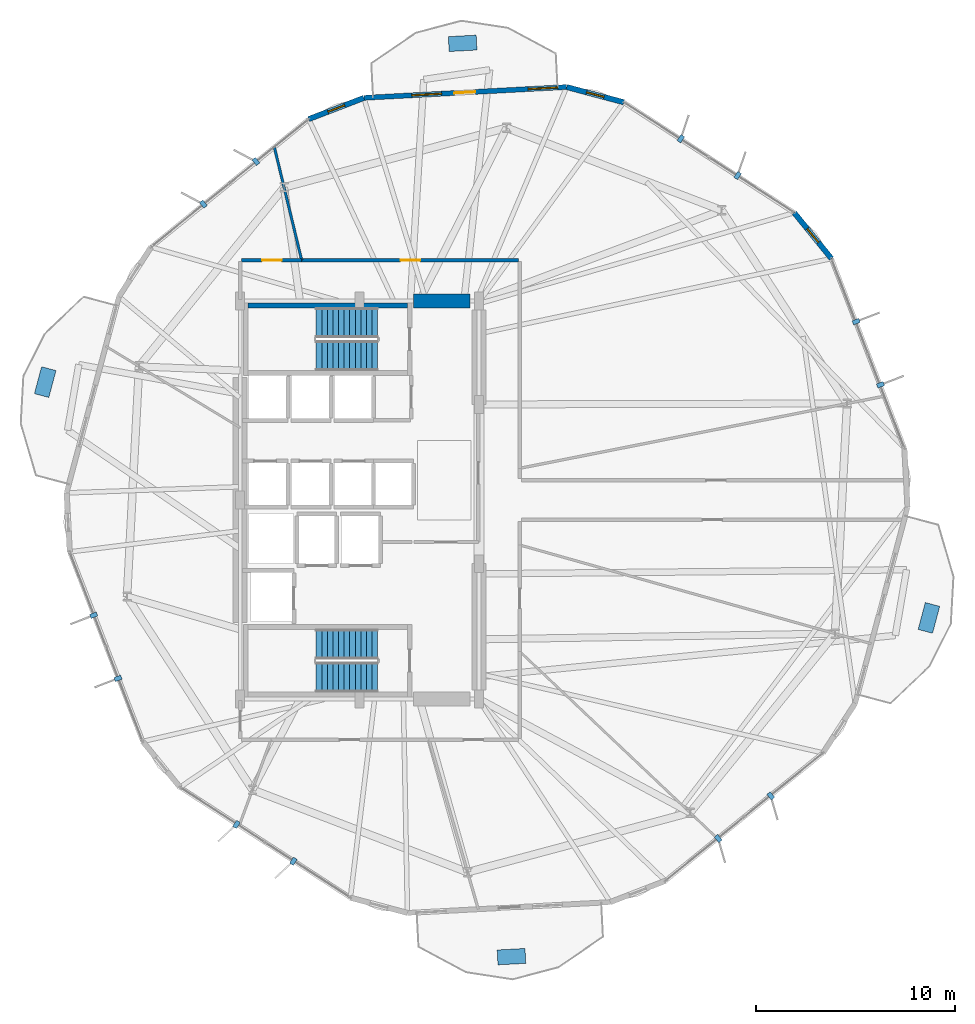
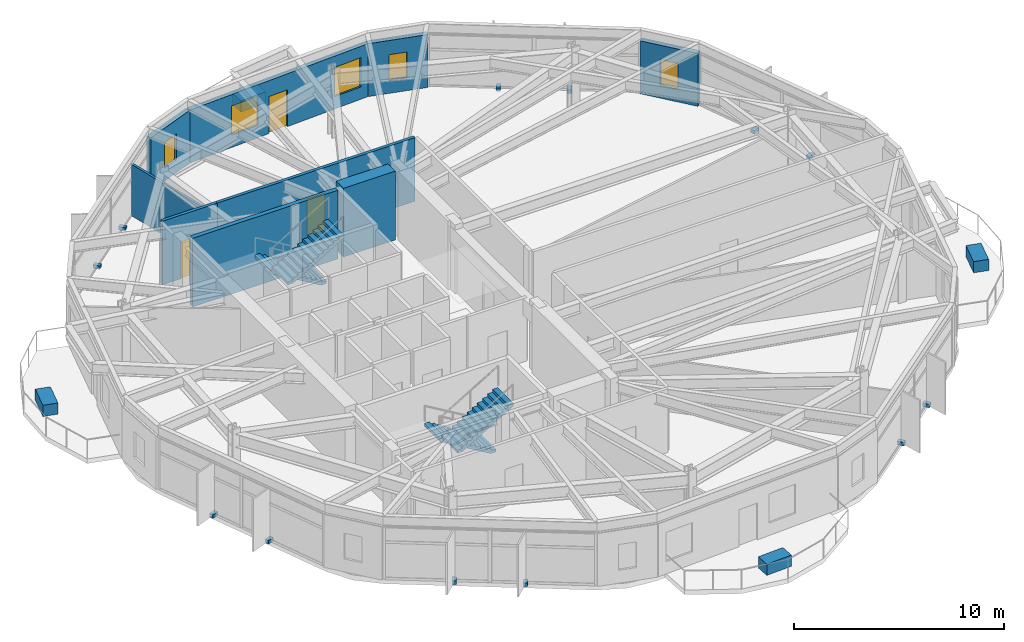
# One storey, part 20 of 23: 16 discrete accessories, 9 walls, 5 windows, 4 stair flights, 3 doors, 8 openings, 2 elements without a shape of their own.
"""IFC4 building model written with IfcOpenShell, lengths in metres."""

from ifc_helpers import new_model, si_unit, direction, frame, frame_2d, origin, origin_2d, place, context, subcontext, project, spatial, polyline, rectangle, outline, extrude, material, layer, layer_set, type_object, element, fill, aggregate, save


model = new_model("IFC4")

# Units and contexts
model_context = context("Model", 3, precision=1e-05, world=origin(), true_north=direction((0.0, 1.0)))
body_context = subcontext(model_context, "Body", "Model", "MODEL_VIEW")
ifc_project = project(units=[si_unit("LENGTHUNIT", "METRE"), si_unit("AREAUNIT", "SQUARE_METRE"), si_unit("VOLUMEUNIT", "CUBIC_METRE"), si_unit("PLANEANGLEUNIT", "RADIAN"), si_unit("MASSUNIT", "GRAM", prefix="KILO")], contexts=[model_context])

# Site, building, storey
site_placement = place(None, origin())
site = spatial("IfcSite", under=ifc_project, at=site_placement, CompositionType="ELEMENT")
building_placement = place(site_placement, origin())
building = spatial("IfcBuilding", under=site, at=building_placement, Name="Soratama Intermodal Tower", CompositionType="ELEMENT")
storey_placement = place(building_placement, frame((0.0, 0.0, 38.60009765625)))
storey = spatial("IfcBuildingStorey", under=building, at=storey_placement, Name="L08", CompositionType="ELEMENT", Elevation=38.60009765625)

# Wall, openings, door, windows
ifc_material_1 = material(Name="Concrete f'c 42 MPa", Category="concrete")
ifc_layer_1 = layer(ifc_material_1, 0.25)
ifc_layer_set_1 = layer_set([ifc_layer_1], Name="Concrete f'c 42 MPa")
wall_type_1 = type_object("IfcWallType", Name="EW-BAL-250", PredefinedType="SOLIDWALL", material=ifc_layer_set_1)
wall_1_placement = place(storey_placement, frame((48.9990234375, 45.7412109375, 0.0), z_axis=(0.0, 0.0, 1.0), x_axis=(-0.998573514947, -0.053394149934, 0.0)))
wall_1 = element("IfcWall", 1, at=wall_1_placement, inside=storey, type_object=wall_type_1, Name="L08 Terrace Wall F03", PredefinedType="SOLIDWALL", context=body_context, shape_type="SweptSolid", body=[
    extrude(rectangle(XDim=10.201171875, YDim=0.25, at=frame_2d((5.1005859375, 0.0))), origin(), (0.0, 0.0, 1.0), 3.078857421875),
])
opening_1_placement = place(wall_1_placement, frame((4.6005859375, 0.0, 0.0)))
opening_1 = element("IfcOpeningElement", 2, at=opening_1_placement, cuts=wall_1, Name="Opening ED-5", PredefinedType="OPENING", context=body_context, shape_type="SweptSolid", body=[
    extrude(rectangle(XDim=1.050048828125, YDim=2.14990234375, at=frame_2d((0.52490234375, 1.074951171875))), frame((0.0, 0.135009765625, 0.0), z_axis=(0.0, -1.0, 0.0), x_axis=(1.0, 0.0, 0.0)), (0.0, 0.0, 1.0), 0.27001953125),
])
opening_2_placement = place(wall_1_placement, frame((0.43994140625, 0.0, 0.719970703125)))
opening_2 = element("IfcOpeningElement", 3, at=opening_2_placement, cuts=wall_1, Name="Opening WN-1", PredefinedType="OPENING", context=body_context, shape_type="SweptSolid", body=[
    extrude(rectangle(XDim=1.5, YDim=1.699951171875, at=frame_2d((0.75, 0.85009765625))), frame((0.0, 0.135009765625, 0.0), z_axis=(0.0, -1.0, 0.0), x_axis=(1.0, 0.0, 0.0)), (0.0, 0.0, 1.0), 0.27001953125),
])
opening_3_placement = place(wall_1_placement, frame((6.29052734375, 0.0, 0.719970703125)))
opening_3 = element("IfcOpeningElement", 4, at=opening_3_placement, cuts=wall_1, Name="Opening WN-1", PredefinedType="OPENING", context=body_context, shape_type="SweptSolid", body=[
    extrude(rectangle(XDim=1.5, YDim=1.699951171875, at=frame_2d((0.75, 0.85009765625))), frame((0.0, 0.135009765625, 0.0), z_axis=(0.0, -1.0, 0.0), x_axis=(1.0, 0.0, 0.0)), (0.0, 0.0, 1.0), 0.27001953125),
])
ifc_material_2 = material(Name="Double-glazed aluminium door", Category="aluminium")
door_type_1 = type_object("IfcDoorType", Name="DR-BAL-1050", OperationType="NOTDEFINED", PredefinedType="DOOR", material=ifc_material_2)
door_1_placement = place(opening_1_placement, origin())
door_1 = element("IfcDoor", 5, at=door_1_placement, inside=storey, type_object=door_type_1, Name="L08 Balcony Door F03", OperationType="SINGLE_SWING_LEFT", OverallHeight=2.14990234375, OverallWidth=1.050048828125, PredefinedType="DOOR", context=body_context, shape_type="SweptSolid", body=[
    extrude(rectangle(XDim=1.050048828125, YDim=2.14990234375, at=frame_2d((0.52490234375, 1.074951171875))), frame((0.0, 0.02490234375, 0.0), z_axis=(0.0, -1.0, 0.0), x_axis=(1.0, 0.0, 0.0)), (0.0, 0.0, 1.0), 0.050048828125),
])
fill(opening_1, door_1)
ifc_material_3 = material(Name="Double-glazed aluminium window", Category="aluminium")
window_type_1 = type_object("IfcWindowType", Name="WN-FAC-1500", PartitioningType="SINGLE_PANEL", PredefinedType="WINDOW", material=ifc_material_3)
window_1_placement = place(opening_2_placement, origin())
window_1 = element("IfcWindow", 6, at=window_1_placement, inside=storey, type_object=window_type_1, Name="L08 Window A F03", OverallHeight=1.699951171875, OverallWidth=1.5, PartitioningType="SINGLE_PANEL", PredefinedType="WINDOW", context=body_context, shape_type="SweptSolid", body=[
    extrude(rectangle(XDim=1.5, YDim=1.699951171875, at=frame_2d((0.75, 0.85009765625))), frame((0.0, 0.030029296875, 0.0), z_axis=(0.0, -1.0, 0.0), x_axis=(1.0, 0.0, 0.0)), (0.0, 0.0, 1.0), 0.06005859375),
])
fill(opening_2, window_1)
window_2_placement = place(opening_3_placement, origin())
window_2 = element("IfcWindow", 7, at=window_2_placement, inside=storey, type_object=window_type_1, Name="L08 Window B F03", OverallHeight=1.699951171875, OverallWidth=1.5, PartitioningType="SINGLE_PANEL", PredefinedType="WINDOW", context=body_context, shape_type="SweptSolid", body=[
    extrude(rectangle(XDim=1.5, YDim=1.699951171875, at=frame_2d((0.75, 0.85009765625))), frame((0.0, 0.030029296875, 0.0), z_axis=(0.0, -1.0, 0.0), x_axis=(1.0, 0.0, 0.0)), (0.0, 0.0, 1.0), 0.06005859375),
])
fill(opening_3, window_2)

# Wall, opening, window
ifc_material_4 = material(Name="Concrete f'c 42 MPa", Category="concrete")
ifc_layer_2 = layer(ifc_material_4, 0.27001953125)
ifc_layer_set_2 = layer_set([ifc_layer_2], Name="Concrete f'c 42 MPa")
wall_type_2 = type_object("IfcWallType", Name="EW-CRN-270", PredefinedType="SOLIDWALL", material=ifc_layer_set_2)
wall_2_placement = place(storey_placement, frame((62.2958984375, 37.125732421875, 0.0), z_axis=(0.0, 0.0, 1.0), x_axis=(-0.630149473082, 0.776473851185, 0.0)))
wall_2 = element("IfcWall", 8, at=wall_2_placement, inside=storey, type_object=wall_type_2, Name="L08 Corner Closure Wall 01", PredefinedType="SOLIDWALL", context=body_context, shape_type="SweptSolid", body=[
    extrude(rectangle(XDim=2.966552734375, YDim=0.27001953125, at=frame_2d((1.4833984375, 0.0))), origin(), (0.0, 0.0, 1.0), 3.078857421875),
])
opening_4_placement = place(wall_2_placement, frame((1.033203125, 0.0, 0.75)))
opening_4 = element("IfcOpeningElement", 9, at=opening_4_placement, cuts=wall_2, Name="Opening WN-6", PredefinedType="OPENING", context=body_context, shape_type="SweptSolid", body=[
    extrude(rectangle(XDim=0.89990234375, YDim=1.5, at=frame_2d((0.449951171875, 0.75))), frame((0.0, 0.14501953125, 0.0), z_axis=(0.0, -1.0, 0.0), x_axis=(1.0, 0.0, 0.0)), (0.0, 0.0, 1.0), 0.2900390625),
])
ifc_material_5 = material(Name="Double-glazed aluminium window", Category="aluminium")
window_type_2 = type_object("IfcWindowType", Name="WN-FAC-900", PartitioningType="SINGLE_PANEL", PredefinedType="WINDOW", material=ifc_material_5)
window_3_placement = place(opening_4_placement, origin())
window_3 = element("IfcWindow", 10, at=window_3_placement, inside=storey, type_object=window_type_2, Name="L08 Corner Window 01", OverallHeight=1.5, OverallWidth=0.89990234375, PartitioningType="SINGLE_PANEL", PredefinedType="WINDOW", context=body_context, shape_type="SweptSolid", body=[
    extrude(rectangle(XDim=0.89990234375, YDim=1.5, at=frame_2d((0.449951171875, 0.75))), frame((0.0, 0.030029296875, 0.0), z_axis=(0.0, -1.0, 0.0), x_axis=(1.0, 0.0, 0.0)), (0.0, 0.0, 1.0), 0.06005859375),
])
fill(opening_4, window_3)

wall_3_placement = place(storey_placement, frame((51.865478515625, 44.976318359375, 0.0), z_axis=(0.0, 0.0, 1.0), x_axis=(-0.966192585346, 0.257821426615, 0.0)))
wall_3 = element("IfcWall", 11, at=wall_3_placement, inside=storey, type_object=wall_type_2, Name="L08 Corner Closure Wall 02", PredefinedType="SOLIDWALL", context=body_context, shape_type="SweptSolid", body=[
    extrude(rectangle(XDim=2.966796875, YDim=0.27001953125, at=frame_2d((1.4833984375, 0.0))), origin(), (0.0, 0.0, 1.0), 3.078857421875),
])
opening_5_placement = place(wall_3_placement, frame((1.033203125, 0.0, 0.75)))
opening_5 = element("IfcOpeningElement", 12, at=opening_5_placement, cuts=wall_3, Name="Opening WN-6", PredefinedType="OPENING", context=body_context, shape_type="SweptSolid", body=[
    extrude(rectangle(XDim=0.89990234375, YDim=1.5, at=frame_2d((0.449951171875, 0.75))), frame((0.0, 0.14501953125, 0.0), z_axis=(0.0, -1.0, 0.0), x_axis=(1.0, 0.0, 0.0)), (0.0, 0.0, 1.0), 0.2900390625),
])
window_4_placement = place(opening_5_placement, origin())
window_4 = element("IfcWindow", 13, at=window_4_placement, inside=storey, type_object=window_type_2, Name="L08 Corner Window 02", OverallHeight=1.5, OverallWidth=0.89990234375, PartitioningType="SINGLE_PANEL", PredefinedType="WINDOW", context=body_context, shape_type="SweptSolid", body=[
    extrude(rectangle(XDim=0.89990234375, YDim=1.5, at=frame_2d((0.449951171875, 0.75))), frame((0.0, 0.030029296875, 0.0), z_axis=(0.0, -1.0, 0.0), x_axis=(1.0, 0.0, 0.0)), (0.0, 0.0, 1.0), 0.06005859375),
])
fill(opening_5, window_4)

wall_4_placement = place(storey_placement, frame((38.8125, 45.196533203125, 0.0), z_axis=(0.0, 0.0, 1.0), x_axis=(-0.933222533465, -0.35929890486, 0.0)))
wall_4 = element("IfcWall", 14, at=wall_4_placement, inside=storey, type_object=wall_type_2, Name="L08 Corner Closure Wall 03", PredefinedType="SOLIDWALL", context=body_context, shape_type="SweptSolid", body=[
    extrude(rectangle(XDim=2.966552734375, YDim=0.27001953125, at=frame_2d((1.4833984375, 0.0))), origin(), (0.0, 0.0, 1.0), 3.078857421875),
])
opening_6_placement = place(wall_4_placement, frame((1.033203125, 0.0, 0.75)))
opening_6 = element("IfcOpeningElement", 15, at=opening_6_placement, cuts=wall_4, Name="Opening WN-6", PredefinedType="OPENING", context=body_context, shape_type="SweptSolid", body=[
    extrude(rectangle(XDim=0.89990234375, YDim=1.5, at=frame_2d((0.449951171875, 0.75))), frame((0.0, 0.14501953125, 0.0), z_axis=(0.0, -1.0, 0.0), x_axis=(1.0, 0.0, 0.0)), (0.0, 0.0, 1.0), 0.2900390625),
])
window_5_placement = place(opening_6_placement, origin())
window_5 = element("IfcWindow", 16, at=window_5_placement, inside=storey, type_object=window_type_2, Name="L08 Corner Window 03", OverallHeight=1.5, OverallWidth=0.89990234375, PartitioningType="SINGLE_PANEL", PredefinedType="WINDOW", context=body_context, shape_type="SweptSolid", body=[
    extrude(rectangle(XDim=0.89990234375, YDim=1.5, at=frame_2d((0.449951171875, 0.75))), frame((0.0, 0.030029296875, 0.0), z_axis=(0.0, -1.0, 0.0), x_axis=(1.0, 0.0, 0.0)), (0.0, 0.0, 1.0), 0.06005859375),
])
fill(opening_6, window_5)

# Wall, opening, door
ifc_material_6 = material(Name="Fire-rated gypsum stud partition", Category="concrete")
ifc_layer_3 = layer(ifc_material_6, 0.169921875)
ifc_layer_set_3 = layer_set([ifc_layer_3], Name="Fire-rated gypsum stud partition")
wall_type_3 = type_object("IfcWallType", Name="IW-PART-R170", PredefinedType="PARTITIONING", material=ifc_layer_set_3)
wall_5_placement = place(storey_placement, frame((35.68701171875, 37.050048828125, 0.0), z_axis=(0.0, 0.0, 1.0), x_axis=(1.0, 0.0, 0.0)))
wall_5 = element("IfcWall", 17, at=wall_5_placement, inside=storey, type_object=wall_type_3, Name="L08 Partition W-L08-TP006", PredefinedType="PARTITIONING", context=body_context, shape_type="SweptSolid", body=[
    extrude(rectangle(XDim=10.89306640625, YDim=0.169921875, at=frame_2d((5.446533203125, 0.0))), origin(), (0.0, 0.0, 1.0), 3.699951171875),
])
opening_7_placement = place(wall_5_placement, frame((4.971923828125, 0.0, 0.0)))
opening_7 = element("IfcOpeningElement", 18, at=opening_7_placement, cuts=wall_5, Name="Opening ID-5", PredefinedType="OPENING", context=body_context, shape_type="SweptSolid", body=[
    extrude(rectangle(XDim=0.97998046875, YDim=2.14990234375, at=frame_2d((0.489990234375, 1.074951171875))), frame((0.0, 0.094970703125, 0.0), z_axis=(0.0, -1.0, 0.0), x_axis=(1.0, 0.0, 0.0)), (0.0, 0.0, 1.0), 0.18994140625),
])
ifc_material_7 = material(Name="Solid hardwood acoustic door", Category="wood")
door_type_2 = type_object("IfcDoorType", Name="DR-OFF-980", OperationType="NOTDEFINED", PredefinedType="DOOR", material=ifc_material_7)
door_2_placement = place(opening_7_placement, origin())
door_2 = element("IfcDoor", 19, at=door_2_placement, inside=storey, type_object=door_type_2, Name="L08 Door D-L08-TP003", OperationType="SINGLE_SWING_RIGHT", OverallHeight=2.14990234375, OverallWidth=0.97998046875, PredefinedType="DOOR", context=body_context, shape_type="SweptSolid", body=[
    extrude(rectangle(XDim=0.97998046875, YDim=2.14990234375, at=frame_2d((0.489990234375, 1.074951171875))), frame((0.0, 0.02490234375, 0.0), z_axis=(0.0, -1.0, 0.0), x_axis=(1.0, 0.0, 0.0)), (0.0, 0.0, 1.0), 0.050048828125),
])
fill(opening_7, door_2)

wall_6_placement = place(storey_placement, frame((32.669921875, 37.050048828125, 0.0), z_axis=(0.0, 0.0, 1.0), x_axis=(1.0, 0.0, 0.0)))
wall_6 = element("IfcWall", 20, at=wall_6_placement, inside=storey, type_object=wall_type_3, Name="L08 Partition W-L08-TP018", PredefinedType="PARTITIONING", context=body_context, shape_type="SweptSolid", body=[
    extrude(rectangle(XDim=3.01708984375, YDim=0.169921875, at=frame_2d((1.508544921875, 0.0))), origin(), (0.0, 0.0, 1.0), 3.699951171875),
])
opening_8_placement = place(wall_6_placement, frame((1.032958984375, 0.0, 0.0)))
opening_8 = element("IfcOpeningElement", 21, at=opening_8_placement, cuts=wall_6, Name="Opening ID-5", PredefinedType="OPENING", context=body_context, shape_type="SweptSolid", body=[
    extrude(rectangle(XDim=0.97998046875, YDim=2.14990234375, at=frame_2d((0.489990234375, 1.074951171875))), frame((0.0, 0.094970703125, 0.0), z_axis=(0.0, -1.0, 0.0), x_axis=(1.0, 0.0, 0.0)), (0.0, 0.0, 1.0), 0.18994140625),
])
door_3_placement = place(opening_8_placement, origin())
door_3 = element("IfcDoor", 22, at=door_3_placement, inside=storey, type_object=door_type_2, Name="L08 Door D-L08-TP009", OperationType="SINGLE_SWING_RIGHT", OverallHeight=2.14990234375, OverallWidth=0.97998046875, PredefinedType="DOOR", context=body_context, shape_type="SweptSolid", body=[
    extrude(rectangle(XDim=0.97998046875, YDim=2.14990234375, at=frame_2d((0.489990234375, 1.074951171875))), frame((0.0, 0.02490234375, 0.0), z_axis=(0.0, -1.0, 0.0), x_axis=(1.0, 0.0, 0.0)), (0.0, 0.0, 1.0), 0.050048828125),
])
fill(opening_8, door_3)

# Walls
ifc_material_8 = material(Name="Fire-rated gypsum stud partition", Category="concrete")
ifc_layer_4 = layer(ifc_material_8, 0.1298828125)
ifc_layer_set_4 = layer_set([ifc_layer_4], Name="Fire-rated gypsum stud partition")
wall_type_4 = type_object("IfcWallType", Name="IW-PART-S130", PredefinedType="PARTITIONING", material=ifc_layer_set_4)
wall_7_placement = place(storey_placement, frame((35.68701171875, 37.050048828125, 0.0), z_axis=(0.0, 0.0, 1.0), x_axis=(-0.234925196883, 0.972013452515, 0.0)))
element("IfcWall", 23, at=wall_7_placement, inside=storey, type_object=wall_type_4, Name="L08 Partition W-L08-TP012", PredefinedType="PARTITIONING", context=body_context, shape_type="SweptSolid", body=[
    extrude(rectangle(XDim=5.840576171875, YDim=0.1298828125, at=frame_2d((2.92041015625, 0.0))), origin(), (0.0, 0.0, 1.0), 2.994873046875),
])
ifc_material_9 = material(Name="Concrete f'c 56 MPa", Category="concrete")
ifc_layer_5 = layer(ifc_material_9, 0.699951171875)
ifc_layer_set_5 = layer_set([ifc_layer_5], Name="Concrete f'c 56 MPa")
wall_type_5 = type_object("IfcWallType", Name="SW-CORE-700", PredefinedType="SHEAR", material=ifc_layer_set_5)
wall_8_placement = place(storey_placement, frame((41.300048828125, 35.0, 0.0), z_axis=(0.0, 0.0, 1.0), x_axis=(1.0, 0.0, 0.0)))
element("IfcWall", 24, at=wall_8_placement, inside=storey, type_object=wall_type_5, Name="L08 Core Shear Wall CW-NE", PredefinedType="SHEAR", context=body_context, shape_type="SweptSolid", body=[
    extrude(rectangle(XDim=2.849853515625, YDim=0.699951171875, at=frame_2d((1.4248046875, 0.0))), origin(), (0.0, 0.0, 1.0), 4.0),
])
ifc_material_10 = material(Name="Concrete f'c 56 MPa", Category="concrete")
ifc_layer_6 = layer(ifc_material_10, 0.239990234375)
ifc_layer_set_6 = layer_set([ifc_layer_6], Name="Concrete f'c 56 MPa")
wall_type_6 = type_object("IfcWallType", Name="SW-STAIR-240", PredefinedType="SHEAR", material=ifc_layer_set_6)
wall_9_placement = place(storey_placement, frame((33.0, 34.77001953125, 0.0), z_axis=(0.0, 0.0, 1.0), x_axis=(1.0, 0.0, 0.0)))
element("IfcWall", 25, at=wall_9_placement, inside=storey, type_object=wall_type_6, Name="L08 ST-2 Shaft Shear Wall N", PredefinedType="SHEAR", context=body_context, shape_type="SweptSolid", body=[
    extrude(rectangle(XDim=8.0, YDim=0.239990234375, at=frame_2d((4.0, 0.0))), origin(), (0.0, 0.0, 1.0), 4.0),
])

# Stair, stair flights
ifc_material_11 = material(Name="Concrete f'c 42 MPa", Category="concrete")
stair_type = type_object("IfcStairType", Name="ST-CORE-DOGLEG", PredefinedType="HALF_TURN_STAIR", material=ifc_material_11)
stair_1_placement = place(storey_placement, origin())
stair_1 = element("IfcStair", 26, at=stair_1_placement, inside=storey, type_object=stair_type, Name="L08 ST-1", PredefinedType="HALF_TURN_STAIR")
ifc_material_12 = material(Name="Precast concrete f'c 40 MPa", Category="concrete")
ifc_layer_7 = layer(ifc_material_12, 0.199951171875)
ifc_layer_set_7 = layer_set([ifc_layer_7], Name="Precast concrete f'c 40 MPa")
stair_flight_type = type_object("IfcStairFlightType", Name="SF-FLIGHT-RC", PredefinedType="STRAIGHT", material=ifc_layer_set_7)
stair_flight_1_placement = place(storey_placement, frame((39.5, 17.75, 0.0), z_axis=(0.0, 0.0, 1.0), x_axis=(-1.0, 0.0, 0.0)))
stair_flight_1 = element("IfcStairFlight", 27, at=stair_flight_1_placement, type_object=stair_flight_type, Name="ST-1 flight 1", NumberOfRisers=12, NumberOfTreads=11, PredefinedType="STRAIGHT", RiserHeight=0.166666667, TreadLength=0.28, context=body_context, shape_type="SweptSolid", body=[
    extrude(outline(polyline([(0.0, 0.0), (0.0, 0.166748046875), (0.280029296875, 0.166748046875), (0.280029296875, 0.333251953125), (0.56005859375, 0.333251953125), (0.56005859375, 0.5), (0.840087890625, 0.5), (0.840087890625, 0.666748046875), (1.1201171875, 0.666748046875), (1.1201171875, 0.833251953125), (1.39990234375, 0.833251953125), (1.39990234375, 1.0), (1.679931640625, 1.0), (1.679931640625, 1.166748046875), (1.9599609375, 1.166748046875), (1.9599609375, 1.333251953125), (2.239990234375, 1.333251953125), (2.239990234375, 1.5), (2.52001953125, 1.5), (2.52001953125, 1.666748046875), (2.800048828125, 1.666748046875), (2.800048828125, 1.833251953125), (3.080078125, 1.833251953125), (3.080078125, 2.0), (3.080078125, 1.658935546875), (0.29296875, 0.0), (0.0, 0.0)])), frame((0.0, 0.75, 0.0), z_axis=(0.0, -1.0, 0.0), x_axis=(1.0, 0.0, 0.0)), (0.0, 0.0, 1.0), 1.5),
])
stair_flight_2_placement = place(storey_placement, frame((36.419921875, 16.10009765625, 2.0), z_axis=(0.0, 0.0, 1.0), x_axis=(1.0, 0.0, 0.0)))
stair_flight_2 = element("IfcStairFlight", 28, at=stair_flight_2_placement, type_object=stair_flight_type, Name="ST-1 flight 2", NumberOfRisers=12, NumberOfTreads=11, PredefinedType="STRAIGHT", RiserHeight=0.166666667, TreadLength=0.28, context=body_context, shape_type="SweptSolid", body=[
    extrude(outline(polyline([(0.0, 0.0), (0.0, 0.166748046875), (0.280029296875, 0.166748046875), (0.280029296875, 0.333251953125), (0.56005859375, 0.333251953125), (0.56005859375, 0.5), (0.840087890625, 0.5), (0.840087890625, 0.666748046875), (1.1201171875, 0.666748046875), (1.1201171875, 0.833251953125), (1.39990234375, 0.833251953125), (1.39990234375, 1.0), (1.679931640625, 1.0), (1.679931640625, 1.166748046875), (1.9599609375, 1.166748046875), (1.9599609375, 1.333251953125), (2.239990234375, 1.333251953125), (2.239990234375, 1.5), (2.52001953125, 1.5), (2.52001953125, 1.666748046875), (2.800048828125, 1.666748046875), (2.800048828125, 1.833251953125), (3.080078125, 1.833251953125), (3.080078125, 2.0), (3.080078125, 1.658935546875), (0.29296875, 0.0), (0.0, 0.0)])), frame((0.0, 0.75, 0.0), z_axis=(0.0, -1.0, 0.0), x_axis=(1.0, 0.0, 0.0)), (0.0, 0.0, 1.0), 1.5),
])
aggregate(stair_1, [stair_flight_1, stair_flight_2])

stair_2_placement = place(storey_placement, origin())
stair_2 = element("IfcStair", 29, at=stair_2_placement, inside=storey, type_object=stair_type, Name="L08 ST-2", PredefinedType="HALF_TURN_STAIR")
stair_flight_3_placement = place(storey_placement, frame((39.5, 33.89990234375, 0.0), z_axis=(0.0, 0.0, 1.0), x_axis=(-1.0, 0.0, 0.0)))
stair_flight_3 = element("IfcStairFlight", 30, at=stair_flight_3_placement, type_object=stair_flight_type, Name="ST-2 flight 1", NumberOfRisers=12, NumberOfTreads=11, PredefinedType="STRAIGHT", RiserHeight=0.166666667, TreadLength=0.28, context=body_context, shape_type="SweptSolid", body=[
    extrude(outline(polyline([(0.0, 0.0), (0.0, 0.166748046875), (0.280029296875, 0.166748046875), (0.280029296875, 0.333251953125), (0.56005859375, 0.333251953125), (0.56005859375, 0.5), (0.840087890625, 0.5), (0.840087890625, 0.666748046875), (1.1201171875, 0.666748046875), (1.1201171875, 0.833251953125), (1.39990234375, 0.833251953125), (1.39990234375, 1.0), (1.679931640625, 1.0), (1.679931640625, 1.166748046875), (1.9599609375, 1.166748046875), (1.9599609375, 1.333251953125), (2.239990234375, 1.333251953125), (2.239990234375, 1.5), (2.52001953125, 1.5), (2.52001953125, 1.666748046875), (2.800048828125, 1.666748046875), (2.800048828125, 1.833251953125), (3.080078125, 1.833251953125), (3.080078125, 2.0), (3.080078125, 1.658935546875), (0.29296875, 0.0), (0.0, 0.0)])), frame((0.0, 0.75, 0.0), z_axis=(0.0, -1.0, 0.0), x_axis=(1.0, 0.0, 0.0)), (0.0, 0.0, 1.0), 1.5),
])
stair_flight_4_placement = place(storey_placement, frame((36.419921875, 32.25, 2.0), z_axis=(0.0, 0.0, 1.0), x_axis=(1.0, 0.0, 0.0)))
stair_flight_4 = element("IfcStairFlight", 31, at=stair_flight_4_placement, type_object=stair_flight_type, Name="ST-2 flight 2", NumberOfRisers=12, NumberOfTreads=11, PredefinedType="STRAIGHT", RiserHeight=0.166666667, TreadLength=0.28, context=body_context, shape_type="SweptSolid", body=[
    extrude(outline(polyline([(0.0, 0.0), (0.0, 0.166748046875), (0.280029296875, 0.166748046875), (0.280029296875, 0.333251953125), (0.56005859375, 0.333251953125), (0.56005859375, 0.5), (0.840087890625, 0.5), (0.840087890625, 0.666748046875), (1.1201171875, 0.666748046875), (1.1201171875, 0.833251953125), (1.39990234375, 0.833251953125), (1.39990234375, 1.0), (1.679931640625, 1.0), (1.679931640625, 1.166748046875), (1.9599609375, 1.166748046875), (1.9599609375, 1.333251953125), (2.239990234375, 1.333251953125), (2.239990234375, 1.5), (2.52001953125, 1.5), (2.52001953125, 1.666748046875), (2.800048828125, 1.666748046875), (2.800048828125, 1.833251953125), (3.080078125, 1.833251953125), (3.080078125, 2.0), (3.080078125, 1.658935546875), (0.29296875, 0.0), (0.0, 0.0)])), frame((0.0, 0.75, 0.0), z_axis=(0.0, -1.0, 0.0), x_axis=(1.0, 0.0, 0.0)), (0.0, 0.0, 1.0), 1.5),
])
aggregate(stair_2, [stair_flight_3, stair_flight_4])

# Discrete accessories
ifc_material_13 = material(Name="Structural steel ASTM A992 Grade 50", Category="steel")
discrete_accessory_type_1 = type_object("IfcDiscreteAccessoryType", Name="AC-FIN-BRACKET", PredefinedType="BRACKET", material=ifc_material_13)
for number, where, z_axis, x_axis, name in (
    (32, (64.758544921875, 30.78662109375, -0.080078125), (0.0, 0.0, 1.0), (0.933204632634, 0.359345396006, 0.0), "L08 Fin Bracket F01-1"),
    (33, (63.53662109375, 33.959716796875, -0.080078125), (0.0, 0.0, 1.0), (0.933204632634, 0.359345396006, 0.0), "L08 Fin Bracket F01-2"),
    (34, (57.583740234375, 41.295166015625, -0.080078125), (0.0, 0.0, 1.0), (0.543760482779, 0.839240452652, 0.0), "L08 Fin Bracket F02-1"),
    (35, (54.72998046875, 43.14404296875, -0.080078125), (0.0, 0.0, 1.0), (0.543760482779, 0.839240452652, 0.0), "L08 Fin Bracket F02-2"),
    (36, (33.39111328125, 42.00341796875, -0.080078125), (0.0, 0.0, 1.0), (-0.630133871185, 0.776486512687, 0.0), "L08 Fin Bracket F04-1"),
    (37, (30.750732421875, 39.860595703125, -0.080078125), (0.0, 0.0, 1.0), (-0.630133871185, 0.776486512687, 0.0), "L08 Fin Bracket F04-2"),
    (38, (25.241455078125, 19.21337890625, -0.080078125), (0.0, 0.0, 1.0), (-0.933204632634, -0.359345396006, 0.0), "L08 Fin Bracket F06-1"),
    (39, (26.46337890625, 16.040283203125, -0.080078125), (0.0, 0.0, 1.0), (-0.933204632634, -0.359345396006, 0.0), "L08 Fin Bracket F06-2"),
    (40, (32.416259765625, 8.704833984375, -0.080078125), (0.0, 0.0, 1.0), (-0.543760482779, -0.839240452652, 0.0), "L08 Fin Bracket F07-1"),
    (41, (35.27001953125, 6.85595703125, -0.080078125), (0.0, 0.0, 1.0), (-0.543760482779, -0.839240452652, 0.0), "L08 Fin Bracket F07-2"),
    (42, (56.60888671875, 7.99658203125, -0.080078125), (0.0, 0.0, 1.0), (0.630133871185, -0.776486512687, 0.0), "L08 Fin Bracket F09-1"),
    (43, (59.249267578125, 10.139404296875, -0.080078125), (0.0, 0.0, 1.0), (0.630133871185, -0.776486512687, 0.0), "L08 Fin Bracket F09-2"),
):
    element("IfcDiscreteAccessory", number, at=place(storey_placement, frame(where, z_axis=z_axis, x_axis=x_axis)), inside=storey, type_object=discrete_accessory_type_1, Name=name, PredefinedType="BRACKET", context=body_context, shape_type="SweptSolid", body=[
        extrude(rectangle(XDim=0.360107421875, YDim=0.219970703125, at=origin_2d()), origin(), (0.0, 0.0, 1.0), 0.199951171875),
    ])
ifc_material_14 = material(Name="Precast concrete f'c 40 MPa", Category="concrete")
discrete_accessory_type_2 = type_object("IfcDiscreteAccessoryType", Name="AC-PLANTER-TREE", PredefinedType="USERDEFINED", material=ifc_material_14)
for number, where, z_axis, x_axis, name in (
    (44, (67.191650390625, 19.07861328125, 0.0), (0.0, 0.0, 1.0), (0.966196331282, -0.257807388214, 0.0), "L08 Tree Planter 1"),
    (45, (43.77392578125, 47.935302734375, 0.0), (0.0, 0.0, 1.0), (-0.053381689759, 0.99857418112, 0.0), "L08 Tree Planter 2"),
    (46, (22.808349609375, 30.92138671875, 0.0), (0.0, 0.0, 1.0), (-0.966196331282, 0.257807388214, 0.0), "L08 Tree Planter 3"),
    (47, (46.22607421875, 2.064697265625, 0.0), (0.0, 0.0, 1.0), (0.053381689759, -0.99857418112, 0.0), "L08 Tree Planter 4"),
):
    element("IfcDiscreteAccessory", number, at=place(storey_placement, frame(where, z_axis=z_axis, x_axis=x_axis)), inside=storey, type_object=discrete_accessory_type_2, Name=name, ObjectType="PLANTER", PredefinedType="USERDEFINED", context=body_context, shape_type="SweptSolid", body=[
        extrude(rectangle(XDim=0.75, YDim=1.39990234375, at=origin_2d()), origin(), (0.0, 0.0, 1.0), 0.64990234375),
    ])

save(model, "model.ifc")
